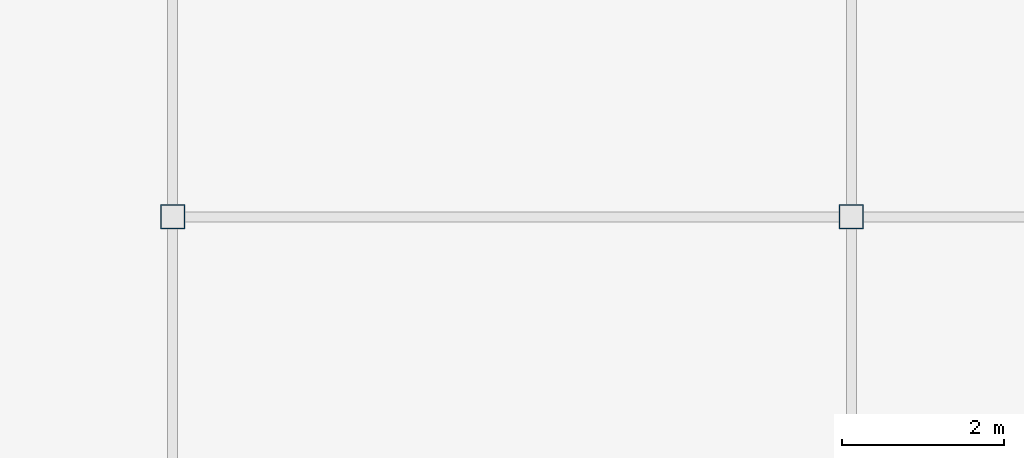
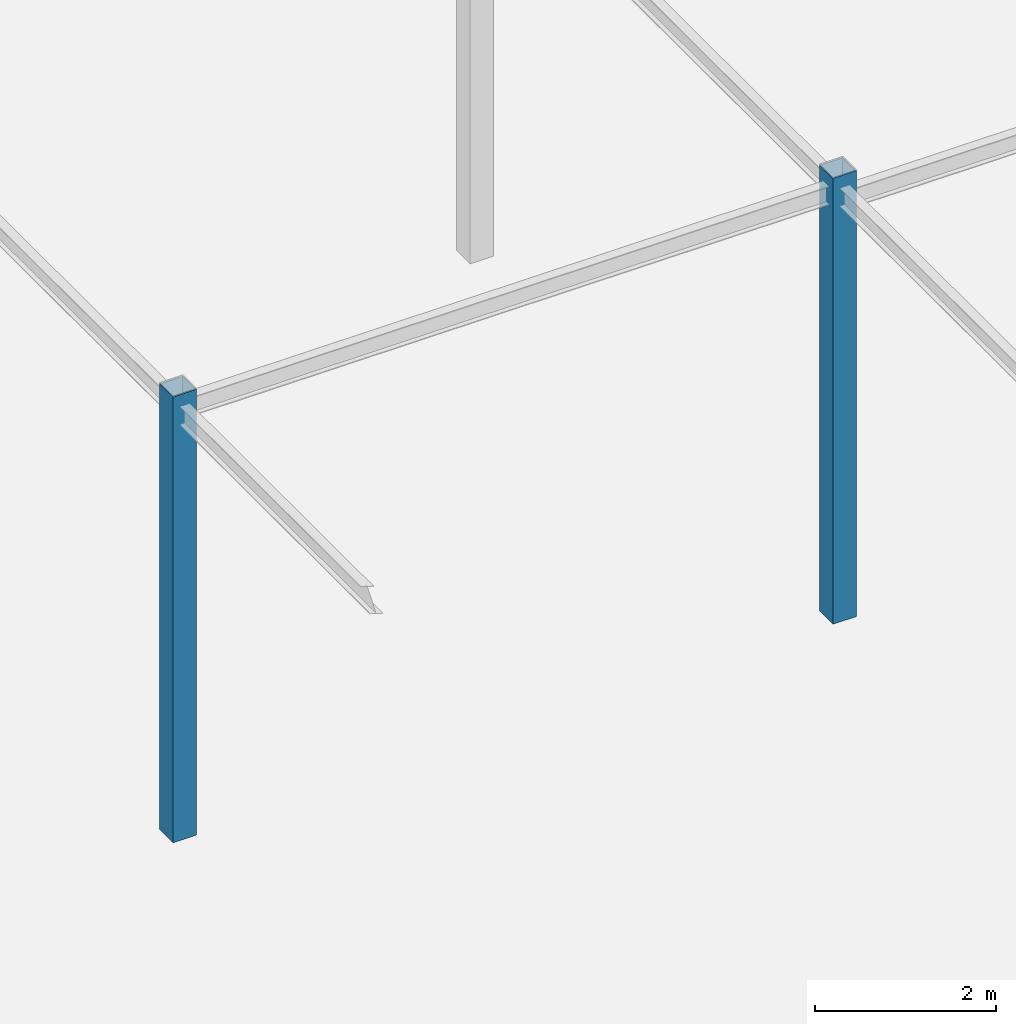
# One storey, part 10 of 76: 2 columns.
"""IFC4 building model written with IfcOpenShell, lengths in metres."""

from ifc_helpers import new_model, si_unit, direction, frame, origin, origin_2d, place, context, subcontext, project, spatial, hollow_rectangle, extrude, material, material_profile, profile_set, type_object, element, save


model = new_model("IFC4")

# Units and contexts
model_context = context("Model", 3, precision=1e-05, world=origin(), true_north=direction((0.0, 1.0)))
body_context = subcontext(model_context, "Body", "Model", "MODEL_VIEW")
ifc_project = project(units=[si_unit("LENGTHUNIT", "METRE"), si_unit("AREAUNIT", "SQUARE_METRE"), si_unit("VOLUMEUNIT", "CUBIC_METRE"), si_unit("PLANEANGLEUNIT", "RADIAN"), si_unit("MASSUNIT", "GRAM", prefix="KILO")], contexts=[model_context])

# Site, building, storey
site_placement = place(None, origin())
site = spatial("IfcSite", under=ifc_project, at=site_placement, CompositionType="ELEMENT")
building_placement = place(site_placement, origin())
building = spatial("IfcBuilding", under=site, at=building_placement, Name="Naruveol Harbour Congress Hotel", CompositionType="ELEMENT")
storey_placement = place(building_placement, origin())
storey = spatial("IfcBuildingStorey", under=building, at=storey_placement, Name="L00", CompositionType="ELEMENT", Elevation=0.0)

# Columns
ifc_material = material(Name="Steel SN490", Category="steel")
ifc_material_profile = material_profile(ifc_material, hollow_rectangle(XDim=0.300048828125, YDim=0.300048828125, WallThickness=0.011962890625, at=origin_2d()), Name="SHS-300x300x12")
ifc_profile_set = profile_set([ifc_material_profile], Name="Steel SN490")
column_type = type_object("IfcColumnType", Name="STEEL COLONNADE POST SHS300", PredefinedType="COLUMN", material=ifc_profile_set)
for number, where, z_axis, x_axis, name in (
    (1, (50.39990234375, 88.0, 0.0), (0.0, 0.0, 1.0), (1.0, 0.0, 0.0), "Column SC-S300 L00 (50.4,88.0)"),
    (2, (58.800048828125, 88.0, 0.0), (0.0, 0.0, 1.0), (1.0, 0.0, 0.0), "Column SC-S300 L00 (58.8,88.0)"),
):
    element("IfcColumn", number, at=place(storey_placement, frame(where, z_axis=z_axis, x_axis=x_axis)), inside=storey, type_object=column_type, Name=name, PredefinedType="COLUMN", context=body_context, shape_type="SweptSolid", body=[
        extrude(hollow_rectangle(XDim=0.300048828125, YDim=0.300048828125, WallThickness=0.011962890625, at=origin_2d()), origin(), (0.0, 0.0, 1.0), 6.0),
    ])

save(model, "model.ifc")
